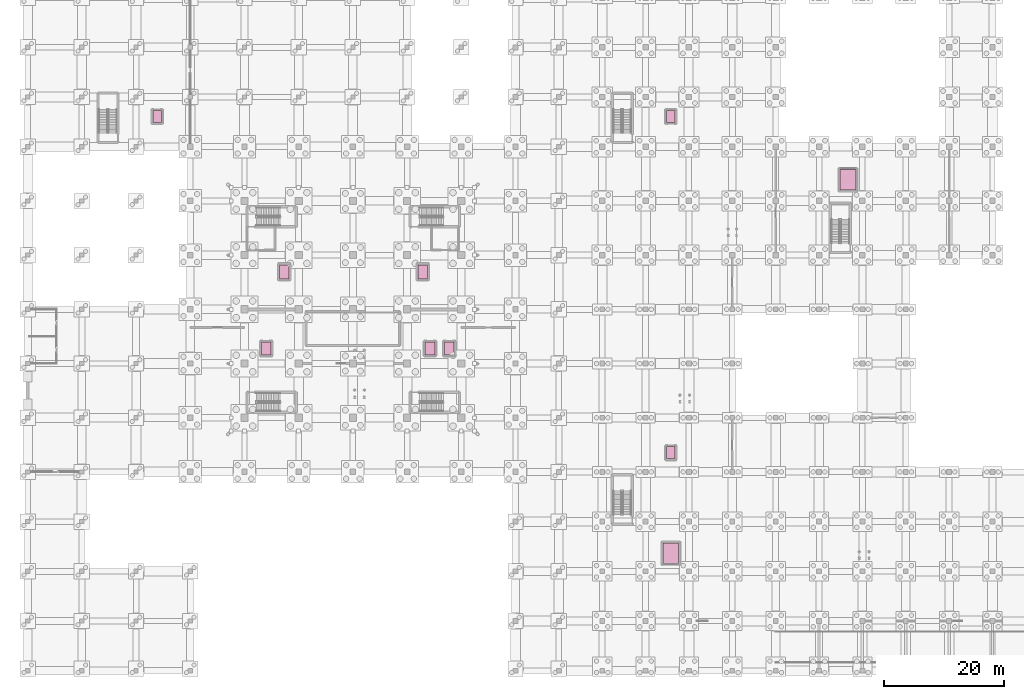
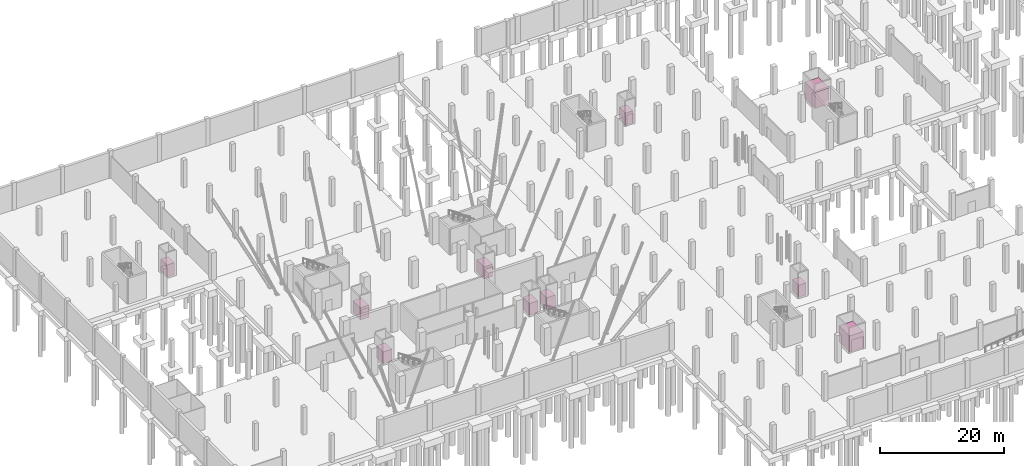
# One storey, part 42 of 42: 10 transport elements.
"""IFC4 building model written with IfcOpenShell, lengths in metres."""

from ifc_helpers import new_model, si_unit, direction, frame, origin, origin_2d, place, context, subcontext, project, spatial, rectangle, extrude, material, type_object, element, save


model = new_model("IFC4")

# Units and contexts
model_context = context("Model", 3, precision=1e-05, world=origin(), true_north=direction((0.0, 1.0)))
body_context = subcontext(model_context, "Body", "Model", "MODEL_VIEW")
ifc_project = project(units=[si_unit("LENGTHUNIT", "METRE"), si_unit("AREAUNIT", "SQUARE_METRE"), si_unit("VOLUMEUNIT", "CUBIC_METRE"), si_unit("PLANEANGLEUNIT", "RADIAN"), si_unit("MASSUNIT", "GRAM", prefix="KILO")], contexts=[model_context])

# Site, building, storey
site_placement = place(None, origin())
site = spatial("IfcSite", under=ifc_project, at=site_placement, CompositionType="ELEMENT")
building_placement = place(site_placement, origin())
building = spatial("IfcBuilding", under=site, at=building_placement, Name="Sundgate Opera House", CompositionType="ELEMENT")
storey_placement = place(building_placement, frame((0.0, 0.0, -5.39990234375)))
storey = spatial("IfcBuildingStorey", under=building, at=storey_placement, Name="B01", CompositionType="ELEMENT", Elevation=-5.39990234375)

# Transport elements
ifc_material_1 = material(Name="Fire-rated stainless steel car", Category="steel")
transport_element_type_1 = type_object("IfcTransportElementType", Name="LF-FIRE-1600", PredefinedType="ELEVATOR", material=ifc_material_1)
for number, where, z_axis, x_axis, name in (
    (1, (42.60009765625, 66.199951171875, 0.0), (0.0, 0.0, 1.0), (1.0, 0.0, 0.0), "Lift Car FF1"),
    (2, (65.60009765625, 66.199951171875, 0.0), (0.0, 0.0, 1.0), (1.0, 0.0, 0.0), "Lift Car FF2"),
):
    element("IfcTransportElement", number, at=place(storey_placement, frame(where, z_axis=z_axis, x_axis=x_axis)), inside=storey, type_object=transport_element_type_1, Name=name, PredefinedType="ELEVATOR", context=body_context, shape_type="SweptSolid", body=[
        extrude(rectangle(XDim=1.60009765625, YDim=2.39990234375, at=origin_2d()), origin(), (0.0, 0.0, 1.0), 2.39990234375),
    ])
ifc_material_2 = material(Name="Heavy-duty structural steel S355J2 goods car", Category="steel")
transport_element_type_2 = type_object("IfcTransportElementType", Name="LF-GOODS-2600", PredefinedType="ELEVATOR", material=ifc_material_2)
for number, where, z_axis, x_axis, name in (
    (3, (136.199951171875, 81.5, 0.0), (0.0, 0.0, 1.0), (1.0, 0.0, 0.0), "Lift Car GL-01"),
    (4, (106.800048828125, 19.5, 0.0), (0.0, 0.0, 1.0), (1.0, 0.0, 0.0), "Lift Car GL-02"),
):
    element("IfcTransportElement", number, at=place(storey_placement, frame(where, z_axis=z_axis, x_axis=x_axis)), inside=storey, type_object=transport_element_type_2, Name=name, PredefinedType="ELEVATOR", context=body_context, shape_type="SweptSolid", body=[
        extrude(rectangle(XDim=2.60009765625, YDim=3.39990234375, at=origin_2d()), origin(), (0.0, 0.0, 1.0), 3.199951171875),
    ])
ifc_material_3 = material(Name="Brushed stainless steel car", Category="steel")
transport_element_type_3 = type_object("IfcTransportElementType", Name="LF-PASS-1400", PredefinedType="ELEVATOR", material=ifc_material_3)
for number, where, z_axis, x_axis, name in (
    (5, (106.800048828125, 92.0, 0.0), (0.0, 0.0, 1.0), (1.0, 0.0, 0.0), "Lift Car LF-04"),
    (6, (106.800048828125, 36.199951171875, 0.0), (0.0, 0.0, 1.0), (1.0, 0.0, 0.0), "Lift Car LF-05"),
    (7, (21.5, 92.0, 0.0), (0.0, 0.0, 1.0), (1.0, 0.0, 0.0), "Lift Car LF-06"),
):
    element("IfcTransportElement", number, at=place(storey_placement, frame(where, z_axis=z_axis, x_axis=x_axis)), inside=storey, type_object=transport_element_type_3, Name=name, PredefinedType="ELEVATOR", context=body_context, shape_type="SweptSolid", body=[
        extrude(rectangle(XDim=1.39990234375, YDim=2.0, at=origin_2d()), origin(), (0.0, 0.0, 1.0), 2.39990234375),
    ])
ifc_material_4 = material(Name="Brushed stainless steel car", Category="steel")
transport_element_type_4 = type_object("IfcTransportElementType", Name="LF-PASS-1600", PredefinedType="ELEVATOR", material=ifc_material_4)
for number, where, z_axis, x_axis, name in (
    (8, (66.800048828125, 53.5, 0.0), (0.0, 0.0, 1.0), (1.0, 0.0, 0.0), "Lift Car LF-01"),
    (9, (70.0, 53.5, 0.0), (0.0, 0.0, 1.0), (1.0, 0.0, 0.0), "Lift Car LF-02"),
    (10, (39.60009765625, 53.5, 0.0), (0.0, 0.0, 1.0), (1.0, 0.0, 0.0), "Lift Car LF-03"),
):
    element("IfcTransportElement", number, at=place(storey_placement, frame(where, z_axis=z_axis, x_axis=x_axis)), inside=storey, type_object=transport_element_type_4, Name=name, PredefinedType="ELEVATOR", context=body_context, shape_type="SweptSolid", body=[
        extrude(rectangle(XDim=1.60009765625, YDim=2.10009765625, at=origin_2d()), origin(), (0.0, 0.0, 1.0), 2.39990234375),
    ])

save(model, "model.ifc")
